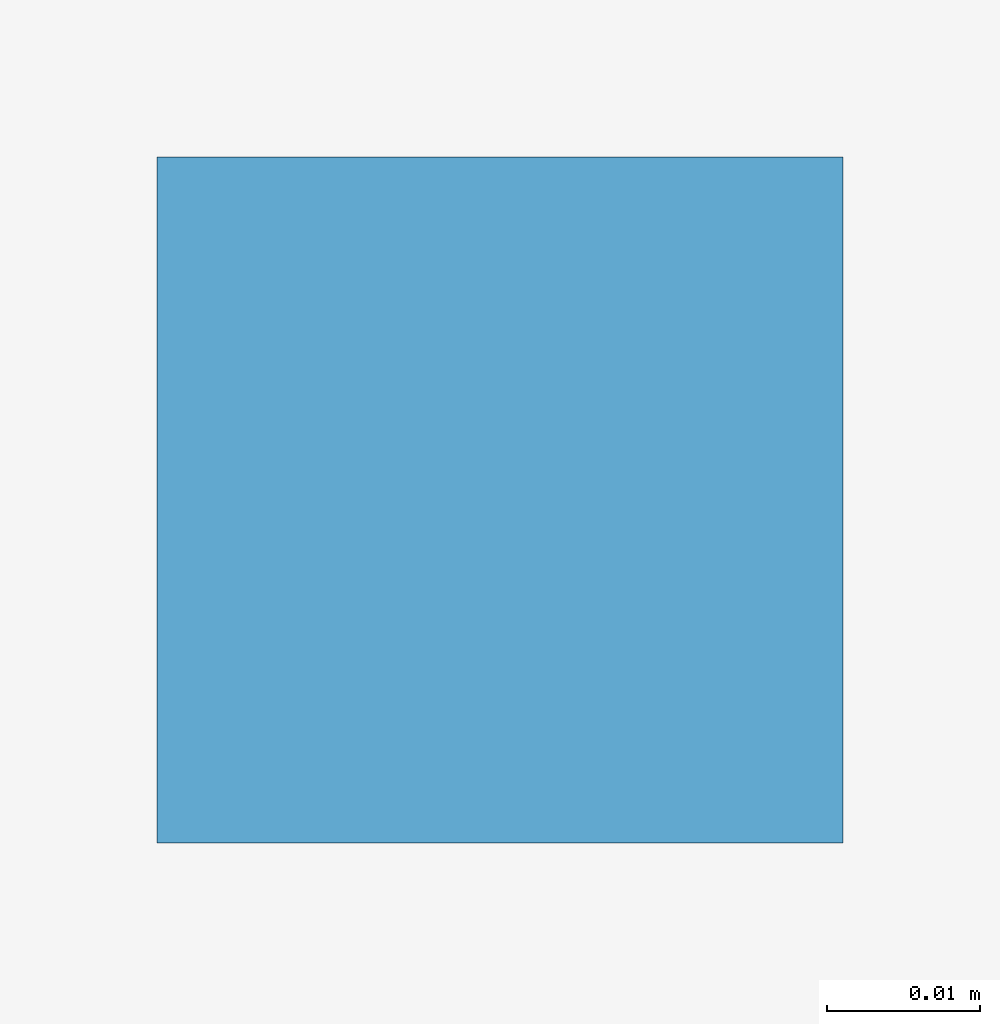
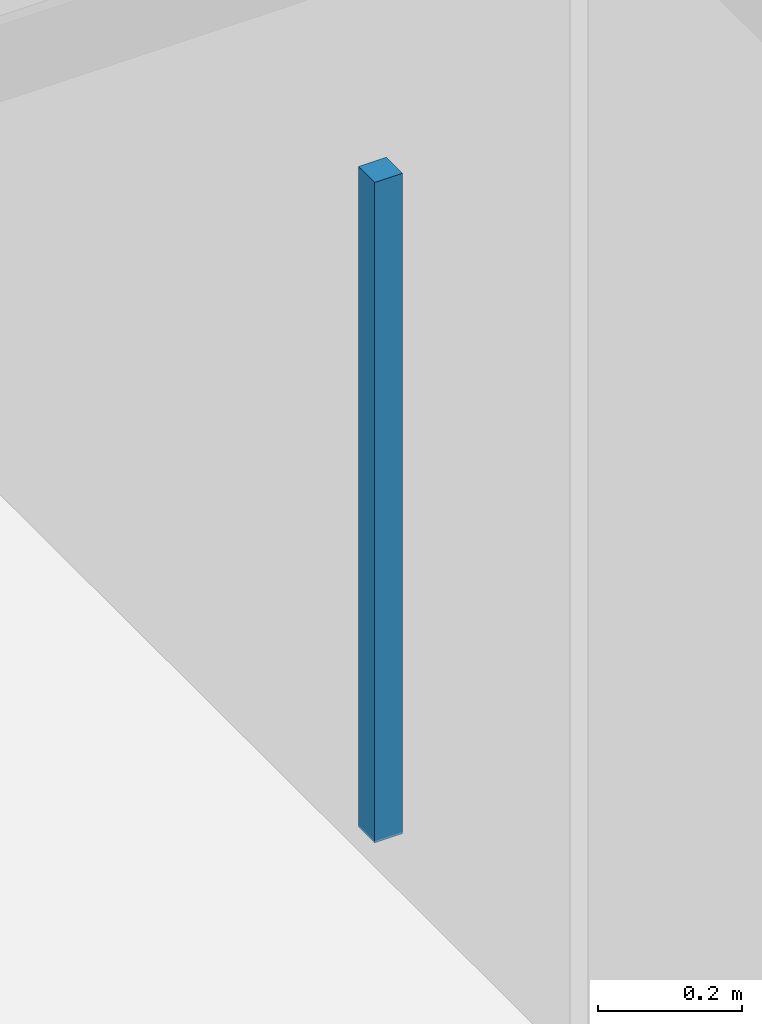
# One storey, part 92 of 130: 1 discrete accessory.
"""IFC4 building model written with IfcOpenShell, lengths in metres."""

from ifc_helpers import new_model, si_unit, direction, frame, origin, origin_2d, place, context, subcontext, project, spatial, rectangle, extrude, material, type_object, element, save


model = new_model("IFC4")

# Units and contexts
model_context = context("Model", 3, precision=1e-05, world=origin(), true_north=direction((0.0, 1.0)))
body_context = subcontext(model_context, "Body", "Model", "MODEL_VIEW")
ifc_project = project(units=[si_unit("LENGTHUNIT", "METRE"), si_unit("AREAUNIT", "SQUARE_METRE"), si_unit("VOLUMEUNIT", "CUBIC_METRE"), si_unit("PLANEANGLEUNIT", "RADIAN"), si_unit("MASSUNIT", "GRAM", prefix="KILO"), si_unit("THERMODYNAMICTEMPERATUREUNIT", "KELVIN"), si_unit("POWERUNIT", "WATT")], contexts=[model_context])

# Site, building, storey
site_placement = place(None, origin())
site = spatial("IfcSite", under=ifc_project, at=site_placement, CompositionType="ELEMENT")
building_placement = place(site_placement, origin())
building = spatial("IfcBuilding", under=site, at=building_placement, Name="Tallowbark Science Centre", CompositionType="ELEMENT")
storey_placement = place(building_placement, frame((0.0, 0.0, 5.39990234375)))
storey = spatial("IfcBuildingStorey", under=building, at=storey_placement, Name="L01", CompositionType="ELEMENT", Elevation=5.39990234375)

# Discrete accessory
ifc_material = material(Name="Galvanised Steel Grade C350L0 (350 MPa)", Category="steel")
discrete_accessory_type = type_object("IfcDiscreteAccessoryType", Name="ACC-CLG-HNG", PredefinedType="BRACKET", material=ifc_material)
discrete_accessory_placement = place(storey_placement, frame((67.308837890625, 74.25, 3.205078125), z_axis=(0.0, 0.0, 1.0), x_axis=(1.0, 0.0, 0.0)))
element("IfcDiscreteAccessory", 1, at=discrete_accessory_placement, inside=storey, type_object=discrete_accessory_type, Name="Ceiling Hanger Bracket L01-611", PredefinedType="BRACKET", context=body_context, shape_type="SweptSolid", body=[
    extrude(rectangle(XDim=0.044921875, YDim=0.044921875, at=origin_2d()), origin(), (0.0, 0.0, 1.0), 1.117919921875),
])

save(model, "model.ifc")
